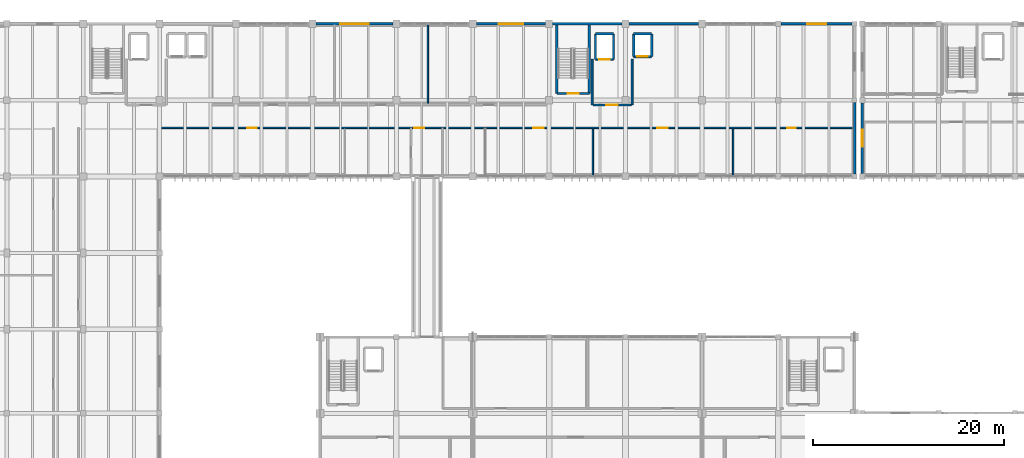
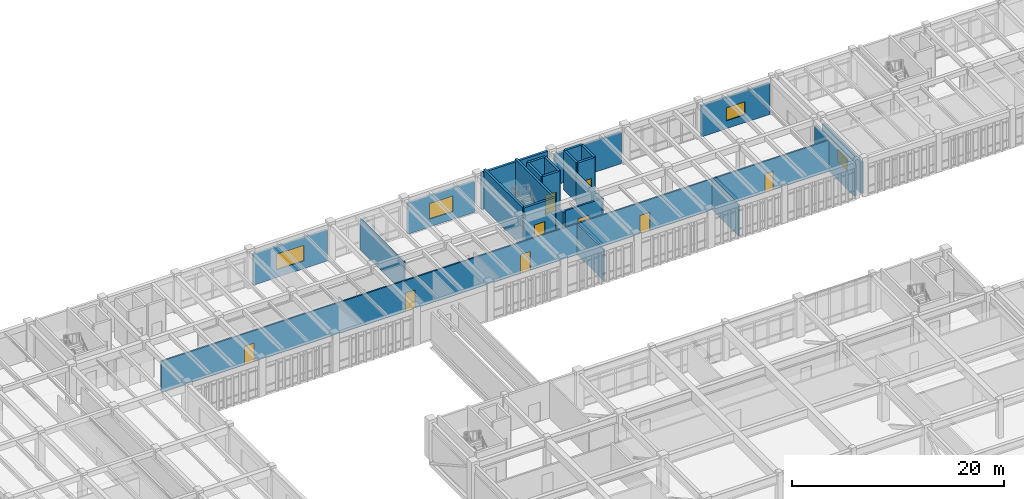
# One storey, part 60 of 79: 25 walls, 9 doors, 4 windows, 13 openings.
"""IFC4 building model written with IfcOpenShell, lengths in metres."""

from ifc_helpers import new_model, si_unit, direction, frame, frame_2d, origin, place, context, subcontext, project, spatial, rectangle, extrude, material, layer, layer_set, type_object, element, fill, save


model = new_model("IFC4")

# Units and contexts
model_context = context("Model", 3, precision=1e-05, world=origin(), true_north=direction((0.0, 1.0)))
body_context = subcontext(model_context, "Body", "Model", "MODEL_VIEW")
ifc_project = project(units=[si_unit("LENGTHUNIT", "METRE"), si_unit("AREAUNIT", "SQUARE_METRE"), si_unit("VOLUMEUNIT", "CUBIC_METRE"), si_unit("PLANEANGLEUNIT", "RADIAN"), si_unit("MASSUNIT", "GRAM", prefix="KILO")], contexts=[model_context])

# Site, building, storey
site_placement = place(None, origin())
site = spatial("IfcSite", under=ifc_project, at=site_placement, CompositionType="ELEMENT")
building_placement = place(site_placement, origin())
building = spatial("IfcBuilding", under=site, at=building_placement, Name="Tlaxcora Railside Police Headquarters", CompositionType="ELEMENT")
storey_placement = place(building_placement, frame((0.0, 0.0, 9.0)))
storey = spatial("IfcBuildingStorey", under=building, at=storey_placement, Name="L02", CompositionType="ELEMENT", Elevation=9.0)

# Wall
ifc_material_1 = material(Name="Gypsum acoustic partition board")
ifc_layer_1 = layer(ifc_material_1, 0.16796875, Name="Gypsum acoustic partition board")
ifc_layer_set_1 = layer_set([ifc_layer_1], Name="Gypsum acoustic partition board")
wall_type_1 = type_object("IfcWallType", Name="Interior Partition Wall IW-31", PredefinedType="PARTITIONING", material=ifc_layer_set_1)
wall_1_placement = place(storey_placement, frame((74.587890625, 76.8798828125, 0.0), z_axis=(0.0, 0.0, 1.0), x_axis=(0.0, 1.0, 0.0)))
element("IfcWall", 1, at=wall_1_placement, inside=storey, type_object=wall_type_1, Name="V5 L02 interior partition 154", PredefinedType="PARTITIONING", context=body_context, shape_type="SweptSolid", body=[
    extrude(rectangle(XDim=4.920166015625, YDim=0.16796875, at=frame_2d((2.4599609375, 0.0))), origin(), (0.0, 0.0, 1.0), 3.554931640625),
])

# Wall, opening, door
ifc_material_2 = material(Name="Pressed clay brick masonry", Category="masonry")
ifc_layer_2 = layer(ifc_material_2, 0.199951171875, Name="Pressed clay brick masonry")
ifc_layer_set_2 = layer_set([ifc_layer_2], Name="Pressed clay brick masonry")
wall_type_2 = type_object("IfcWallType", Name="Interior Partition Wall IW-60", PredefinedType="PARTITIONING", material=ifc_layer_set_2)
wall_2_placement = place(storey_placement, frame((74.60009765625, 84.300048828125, 0.0), z_axis=(0.0, 0.0, 1.0), x_axis=(1.0, 0.0, 0.0)))
wall_2 = element("IfcWall", 2, at=wall_2_placement, inside=storey, type_object=wall_type_2, Name="V5 L02 interior partition 121", PredefinedType="PARTITIONING", context=body_context, shape_type="SweptSolid", body=[
    extrude(rectangle(XDim=4.0, YDim=0.199951171875, at=frame_2d((2.0, 0.0))), origin(), (0.0, 0.0, 1.0), 3.554931640625),
])
opening_1_placement = place(wall_2_placement, frame((1.39990234375, 0.0, 0.0)))
opening_1 = element("IfcOpeningElement", 3, at=opening_1_placement, cuts=wall_2, Name="Opening D-L02-159", PredefinedType="OPENING", context=body_context, shape_type="SweptSolid", body=[
    extrude(rectangle(XDim=1.199951171875, YDim=2.14990234375, at=frame_2d((0.60009765625, 1.074951171875))), frame((0.0, 0.10986328125, 0.0), z_axis=(0.0, -1.0, 0.0), x_axis=(1.0, 0.0, 0.0)), (0.0, 0.0, 1.0), 0.219970703125),
])
ifc_material_3 = material(Name="Steel ASTM A992 Grade 50", Category="steel")
door_type_1 = type_object("IfcDoorType", Name="Swing or Sliding Personnel Door ID-14", OperationType="NOTDEFINED", PredefinedType="DOOR", material=ifc_material_3)
door_1_placement = place(opening_1_placement, origin())
door_1 = element("IfcDoor", 4, at=door_1_placement, inside=storey, type_object=door_type_1, Name="V5 L02 door D-L02-159", OperationType="DOUBLE_DOOR_SINGLE_SWING", OverallHeight=2.14990234375, OverallWidth=1.199951171875, PredefinedType="DOOR", context=body_context, shape_type="SweptSolid", body=[
    extrude(rectangle(XDim=1.199951171875, YDim=2.14990234375, at=frame_2d((0.60009765625, 1.074951171875))), frame((0.0, 0.02490234375, 0.0), z_axis=(0.0, -1.0, 0.0), x_axis=(1.0, 0.0, 0.0)), (0.0, 0.0, 1.0), 0.050048828125),
])
fill(opening_1, door_1)

# Walls
wall_3_placement = place(storey_placement, frame((74.5, 84.300048828125, 0.0), z_axis=(0.0, 0.0, 1.0), x_axis=(0.0, 1.0, 0.0)))
element("IfcWall", 5, at=wall_3_placement, inside=storey, type_object=wall_type_2, Name="V5 L02 interior partition 122", PredefinedType="PARTITIONING", context=body_context, shape_type="SweptSolid", body=[
    extrude(rectangle(XDim=4.800048828125, YDim=0.199951171875, at=frame_2d((2.39990234375, 0.0))), origin(), (0.0, 0.0, 1.0), 3.35498046875),
])
wall_4_placement = place(storey_placement, frame((78.699951171875, 84.300048828125, 0.0), z_axis=(0.0, 0.0, 1.0), x_axis=(0.0, 1.0, 0.0)))
element("IfcWall", 6, at=wall_4_placement, inside=storey, type_object=wall_type_2, Name="V5 L02 interior partition 123", PredefinedType="PARTITIONING", context=body_context, shape_type="SweptSolid", body=[
    extrude(rectangle(XDim=4.800048828125, YDim=0.199951171875, at=frame_2d((2.39990234375, 0.0))), origin(), (0.0, 0.0, 1.0), 3.455078125),
])
ifc_layer_3 = layer(ifc_material_1, 0.159912109375, Name="Gypsum acoustic partition board")
ifc_layer_set_3 = layer_set([ifc_layer_3], Name="Gypsum acoustic partition board")
wall_type_3 = type_object("IfcWallType", Name="Interior Partition Wall IW-73", PredefinedType="PARTITIONING", material=ifc_layer_set_3)
wall_5_placement = place(storey_placement, frame((89.27392578125, 76.8798828125, 0.0), z_axis=(0.0, 0.0, 1.0), x_axis=(0.0, 1.0, 0.0)))
element("IfcWall", 7, at=wall_5_placement, inside=storey, type_object=wall_type_3, Name="V5 L02 interior partition 155", PredefinedType="PARTITIONING", context=body_context, shape_type="SweptSolid", body=[
    extrude(rectangle(XDim=4.920166015625, YDim=0.159912109375, at=frame_2d((2.4599609375, 0.0))), origin(), (0.0, 0.0, 1.0), 3.554931640625),
])

# Wall, openings, doors
wall_6_placement = place(storey_placement, frame((29.300048828125, 81.89990234375, 0.0), z_axis=(0.0, 0.0, 1.0), x_axis=(1.0, 0.0, 0.0)))
wall_6 = element("IfcWall", 8, at=wall_6_placement, inside=storey, type_object=wall_type_3, Name="V5 L02 interior partition 156", PredefinedType="PARTITIONING", context=body_context, shape_type="SweptSolid", body=[
    extrude(rectangle(XDim=72.619873046875, YDim=0.159912109375, at=frame_2d((36.31005859375, 0.0))), origin(), (0.0, 0.0, 1.0), 3.554931640625),
])
opening_2_placement = place(wall_6_placement, frame((9.06005859375, 0.0, 0.0)))
opening_2 = element("IfcOpeningElement", 9, at=opening_2_placement, cuts=wall_6, Name="Opening D-L02-186", PredefinedType="OPENING", context=body_context, shape_type="SweptSolid", body=[
    extrude(rectangle(XDim=1.02001953125, YDim=2.1201171875, at=frame_2d((0.510009765625, 1.06005859375))), frame((0.0, 0.08984375, 0.0), z_axis=(0.0, -1.0, 0.0), x_axis=(1.0, 0.0, 0.0)), (0.0, 0.0, 1.0), 0.179931640625),
])
opening_3_placement = place(wall_6_placement, frame((26.550048828125, 0.0, 0.0)))
opening_3 = element("IfcOpeningElement", 10, at=opening_3_placement, cuts=wall_6, Name="Opening D-L02-187", PredefinedType="OPENING", context=body_context, shape_type="SweptSolid", body=[
    extrude(rectangle(XDim=1.050048828125, YDim=2.10009765625, at=frame_2d((0.52490234375, 1.050048828125))), frame((0.0, 0.08984375, 0.0), z_axis=(0.0, -1.0, 0.0), x_axis=(1.0, 0.0, 0.0)), (0.0, 0.0, 1.0), 0.179931640625),
])
opening_4_placement = place(wall_6_placement, frame((39.0400390625, 0.0, 0.0)))
opening_4 = element("IfcOpeningElement", 11, at=opening_4_placement, cuts=wall_6, Name="Opening D-L02-188", PredefinedType="OPENING", context=body_context, shape_type="SweptSolid", body=[
    extrude(rectangle(XDim=1.080078125, YDim=2.139892578125, at=frame_2d((0.5400390625, 1.06982421875))), frame((0.0, 0.08984375, 0.0), z_axis=(0.0, -1.0, 0.0), x_axis=(1.0, 0.0, 0.0)), (0.0, 0.0, 1.0), 0.179931640625),
])
opening_5_placement = place(wall_6_placement, frame((52.030029296875, 0.0, 0.0)))
opening_5 = element("IfcOpeningElement", 12, at=opening_5_placement, cuts=wall_6, Name="Opening D-L02-189", PredefinedType="OPENING", context=body_context, shape_type="SweptSolid", body=[
    extrude(rectangle(XDim=1.10009765625, YDim=2.10009765625, at=frame_2d((0.550048828125, 1.050048828125))), frame((0.0, 0.08984375, 0.0), z_axis=(0.0, -1.0, 0.0), x_axis=(1.0, 0.0, 0.0)), (0.0, 0.0, 1.0), 0.179931640625),
])
opening_6_placement = place(wall_6_placement, frame((65.6298828125, 0.0, 0.0)))
opening_6 = element("IfcOpeningElement", 13, at=opening_6_placement, cuts=wall_6, Name="Opening D-L02-190", PredefinedType="OPENING", context=body_context, shape_type="SweptSolid", body=[
    extrude(rectangle(XDim=0.89990234375, YDim=2.10009765625, at=frame_2d((0.449951171875, 1.050048828125))), frame((0.0, 0.08984375, 0.0), z_axis=(0.0, -1.0, 0.0), x_axis=(1.0, 0.0, 0.0)), (0.0, 0.0, 1.0), 0.179931640625),
])
door_type_2 = type_object("IfcDoorType", Name="Swing or Sliding Personnel Door ID-20", OperationType="NOTDEFINED", PredefinedType="DOOR", material=ifc_material_3)
door_2_placement = place(opening_4_placement, origin())
door_2 = element("IfcDoor", 14, at=door_2_placement, inside=storey, type_object=door_type_2, Name="V5 L02 door D-L02-188", OperationType="SINGLE_SWING_LEFT", OverallHeight=2.139892578125, OverallWidth=1.080078125, PredefinedType="DOOR", context=body_context, shape_type="SweptSolid", body=[
    extrude(rectangle(XDim=1.080078125, YDim=2.139892578125, at=frame_2d((0.5400390625, 1.06982421875))), frame((0.0, 0.02490234375, 0.0), z_axis=(0.0, -1.0, 0.0), x_axis=(1.0, 0.0, 0.0)), (0.0, 0.0, 1.0), 0.050048828125),
])
fill(opening_4, door_2)
door_type_3 = type_object("IfcDoorType", Name="Swing or Sliding Personnel Door ID-33", OperationType="NOTDEFINED", PredefinedType="DOOR", material=ifc_material_3)
door_3_placement = place(opening_6_placement, origin())
door_3 = element("IfcDoor", 15, at=door_3_placement, inside=storey, type_object=door_type_3, Name="V5 L02 door D-L02-190", OperationType="SINGLE_SWING_LEFT", OverallHeight=2.10009765625, OverallWidth=0.89990234375, PredefinedType="DOOR", context=body_context, shape_type="SweptSolid", body=[
    extrude(rectangle(XDim=0.89990234375, YDim=2.10009765625, at=frame_2d((0.449951171875, 1.050048828125))), frame((0.0, 0.02490234375, 0.0), z_axis=(0.0, -1.0, 0.0), x_axis=(1.0, 0.0, 0.0)), (0.0, 0.0, 1.0), 0.050048828125),
])
fill(opening_6, door_3)
door_type_4 = type_object("IfcDoorType", Name="Swing or Sliding Personnel Door ID-48", OperationType="NOTDEFINED", PredefinedType="DOOR", material=ifc_material_3)
door_4_placement = place(opening_2_placement, origin())
door_4 = element("IfcDoor", 16, at=door_4_placement, inside=storey, type_object=door_type_4, Name="V5 L02 door D-L02-186", OperationType="SINGLE_SWING_LEFT", OverallHeight=2.1201171875, OverallWidth=1.02001953125, PredefinedType="DOOR", context=body_context, shape_type="SweptSolid", body=[
    extrude(rectangle(XDim=1.02001953125, YDim=2.1201171875, at=frame_2d((0.510009765625, 1.06005859375))), frame((0.0, 0.02490234375, 0.0), z_axis=(0.0, -1.0, 0.0), x_axis=(1.0, 0.0, 0.0)), (0.0, 0.0, 1.0), 0.050048828125),
])
fill(opening_2, door_4)
door_type_5 = type_object("IfcDoorType", Name="Swing or Sliding Personnel Door ID-52", OperationType="NOTDEFINED", PredefinedType="DOOR", material=ifc_material_3)
door_5_placement = place(opening_3_placement, origin())
door_5 = element("IfcDoor", 17, at=door_5_placement, inside=storey, type_object=door_type_5, Name="V5 L02 door D-L02-187", OperationType="SINGLE_SWING_RIGHT", OverallHeight=2.10009765625, OverallWidth=1.050048828125, PredefinedType="DOOR", context=body_context, shape_type="SweptSolid", body=[
    extrude(rectangle(XDim=1.050048828125, YDim=2.10009765625, at=frame_2d((0.52490234375, 1.050048828125))), frame((0.0, 0.02490234375, 0.0), z_axis=(0.0, -1.0, 0.0), x_axis=(1.0, 0.0, 0.0)), (0.0, 0.0, 1.0), 0.050048828125),
])
fill(opening_3, door_5)
door_type_6 = type_object("IfcDoorType", Name="Swing or Sliding Personnel Door ID-66", OperationType="NOTDEFINED", PredefinedType="DOOR", material=ifc_material_3)
door_6_placement = place(opening_5_placement, origin())
door_6 = element("IfcDoor", 18, at=door_6_placement, inside=storey, type_object=door_type_6, Name="V5 L02 door D-L02-189", OperationType="SINGLE_SWING_RIGHT", OverallHeight=2.10009765625, OverallWidth=1.10009765625, PredefinedType="DOOR", context=body_context, shape_type="SweptSolid", body=[
    extrude(rectangle(XDim=1.10009765625, YDim=2.10009765625, at=frame_2d((0.550048828125, 1.050048828125))), frame((0.0, 0.02490234375, 0.0), z_axis=(0.0, -1.0, 0.0), x_axis=(1.0, 0.0, 0.0)), (0.0, 0.0, 1.0), 0.050048828125),
])
fill(opening_5, door_6)

# Wall
wall_7_placement = place(storey_placement, frame((57.2890625, 84.5, 0.0), z_axis=(0.0, 0.0, 1.0), x_axis=(0.0, 1.0, 0.0)))
element("IfcWall", 19, at=wall_7_placement, inside=storey, type_object=wall_type_3, Name="V5 L02 interior partition 158", PredefinedType="PARTITIONING", context=body_context, shape_type="SweptSolid", body=[
    extrude(rectangle(XDim=8.219970703125, YDim=0.159912109375, at=frame_2d((4.10986328125, 0.0))), origin(), (0.0, 0.0, 1.0), 3.554931640625),
])

# Wall, opening, door
ifc_material_4 = material(Name="Concrete C40/50", Category="concrete")
ifc_layer_4 = layer(ifc_material_4, 0.25, Name="Concrete C40/50")
ifc_layer_set_4 = layer_set([ifc_layer_4], Name="Concrete C40/50")
wall_type_4 = type_object("IfcWallType", Name="Shear Core Wall IW-13", PredefinedType="SHEAR", material=ifc_layer_set_4)
wall_8_placement = place(storey_placement, frame((70.800048828125, 85.5, 0.0), z_axis=(0.0, 0.0, 1.0), x_axis=(1.0, 0.0, 0.0)))
wall_8 = element("IfcWall", 20, at=wall_8_placement, inside=storey, type_object=wall_type_4, Name="CORE-C2 L02 stair core wall S", PredefinedType="SHEAR", context=body_context, shape_type="SweptSolid", body=[
    extrude(rectangle(XDim=3.419921875, YDim=0.25, at=frame_2d((1.7099609375, 0.0))), origin(), (0.0, 0.0, 1.0), 4.5),
])
opening_7_placement = place(wall_8_placement, frame((1.135009765625, 0.0, 0.0)))
opening_7 = element("IfcOpeningElement", 21, at=opening_7_placement, cuts=wall_8, Name="Opening SD-L02-013", PredefinedType="OPENING", context=body_context, shape_type="SweptSolid", body=[
    extrude(rectangle(XDim=1.14990234375, YDim=2.14990234375, at=frame_2d((0.574951171875, 1.074951171875))), frame((0.0, 0.135009765625, 0.0), z_axis=(0.0, -1.0, 0.0), x_axis=(1.0, 0.0, 0.0)), (0.0, 0.0, 1.0), 0.27001953125),
])
door_type_7 = type_object("IfcDoorType", Name="Swing or Sliding Personnel Door ID-73", OperationType="NOTDEFINED", PredefinedType="DOOR", material=ifc_material_3)
door_7_placement = place(opening_7_placement, origin())
door_7 = element("IfcDoor", 22, at=door_7_placement, inside=storey, type_object=door_type_7, Name="Stair ST2 L02 enclosure fire door", OperationType="SINGLE_SWING_LEFT", OverallHeight=2.14990234375, OverallWidth=1.14990234375, PredefinedType="DOOR", context=body_context, shape_type="SweptSolid", body=[
    extrude(rectangle(XDim=1.14990234375, YDim=2.14990234375, at=frame_2d((0.574951171875, 1.074951171875))), frame((0.0, 0.02490234375, 0.0), z_axis=(0.0, -1.0, 0.0), x_axis=(1.0, 0.0, 0.0)), (0.0, 0.0, 1.0), 0.050048828125),
])
fill(opening_7, door_7)

# Walls
for number, where, z_axis, x_axis, name in (
    (23, (74.219970703125, 85.5, 0.0), (0.0, 0.0, 1.0), (0.0, 1.0, 0.0), "CORE-C2 L02 stair core wall E"),
    (24, (70.800048828125, 92.800048828125, 0.0), (0.0, 0.0, 1.0), (0.0, -1.0, 0.0), "CORE-C2 L02 stair core wall W"),
):
    element("IfcWall", number, at=place(storey_placement, frame(where, z_axis=z_axis, x_axis=x_axis)), inside=storey, type_object=wall_type_4, Name=name, PredefinedType="SHEAR", context=body_context, shape_type="SweptSolid", body=[
        extrude(rectangle(XDim=7.300048828125, YDim=0.25, at=frame_2d((3.64990234375, 0.0))), origin(), (0.0, 0.0, 1.0), 4.5),
    ])

# Wall, opening, door
wall_9_placement = place(storey_placement, frame((74.860107421875, 89.06005859375, 0.0), z_axis=(0.0, 0.0, 1.0), x_axis=(1.0, 0.0, 0.0)))
wall_9 = element("IfcWall", 25, at=wall_9_placement, inside=storey, type_object=wall_type_4, Name="Lift FFL-02 L02 shaft wall S", PredefinedType="SHEAR", context=body_context, shape_type="SweptSolid", body=[
    extrude(rectangle(XDim=1.8798828125, YDim=0.25, at=frame_2d((0.93994140625, 0.0))), origin(), (0.0, 0.0, 1.0), 4.5),
])
opening_8_placement = place(wall_9_placement, frame((0.389892578125, 0.0, 0.0)))
opening_8 = element("IfcOpeningElement", 26, at=opening_8_placement, cuts=wall_9, Name="Opening LD-FFL-02-L02", PredefinedType="OPENING", context=body_context, shape_type="SweptSolid", body=[
    extrude(rectangle(XDim=1.10009765625, YDim=2.199951171875, at=frame_2d((0.550048828125, 1.10009765625))), frame((0.0, 0.135009765625, 0.0), z_axis=(0.0, -1.0, 0.0), x_axis=(1.0, 0.0, 0.0)), (0.0, 0.0, 1.0), 0.27001953125),
])
door_type_8 = type_object("IfcDoorType", Name="Swing or Sliding Personnel Door ID-15", OperationType="NOTDEFINED", PredefinedType="DOOR", material=ifc_material_3)
door_8_placement = place(opening_8_placement, origin())
door_8 = element("IfcDoor", 27, at=door_8_placement, inside=storey, type_object=door_type_8, Name="Lift FFL-02 L02 sliding landing door", OperationType="DOUBLE_DOOR_SLIDING", OverallHeight=2.199951171875, OverallWidth=1.10009765625, PredefinedType="DOOR", context=body_context, shape_type="SweptSolid", body=[
    extrude(rectangle(XDim=1.10009765625, YDim=2.199951171875, at=frame_2d((0.550048828125, 1.10009765625))), frame((0.0, 0.02490234375, 0.0), z_axis=(0.0, -1.0, 0.0), x_axis=(1.0, 0.0, 0.0)), (0.0, 0.0, 1.0), 0.050048828125),
])
fill(opening_8, door_8)

# Walls
wall_10_placement = place(storey_placement, frame((76.739990234375, 89.06005859375, 0.0), z_axis=(0.0, 0.0, 1.0), x_axis=(0.0, 1.0, 0.0)))
element("IfcWall", 28, at=wall_10_placement, inside=storey, type_object=wall_type_4, Name="Lift FFL-02 L02 shaft wall E", PredefinedType="SHEAR", context=body_context, shape_type="SweptSolid", body=[
    extrude(rectangle(XDim=2.679931640625, YDim=0.25, at=frame_2d((1.33984375, 0.0))), origin(), (0.0, 0.0, 1.0), 4.5),
])
wall_11_placement = place(storey_placement, frame((76.739990234375, 91.739990234375, 0.0), z_axis=(0.0, 0.0, 1.0), x_axis=(-1.0, 0.0, 0.0)))
element("IfcWall", 29, at=wall_11_placement, inside=storey, type_object=wall_type_4, Name="Lift FFL-02 L02 shaft wall N", PredefinedType="SHEAR", context=body_context, shape_type="SweptSolid", body=[
    extrude(rectangle(XDim=1.8798828125, YDim=0.25, at=frame_2d((0.93994140625, 0.0))), origin(), (0.0, 0.0, 1.0), 4.5),
])
wall_12_placement = place(storey_placement, frame((74.860107421875, 91.739990234375, 0.0), z_axis=(0.0, 0.0, 1.0), x_axis=(0.0, -1.0, 0.0)))
element("IfcWall", 30, at=wall_12_placement, inside=storey, type_object=wall_type_4, Name="Lift FFL-02 L02 shaft wall W", PredefinedType="SHEAR", context=body_context, shape_type="SweptSolid", body=[
    extrude(rectangle(XDim=2.679931640625, YDim=0.25, at=frame_2d((1.33984375, 0.0))), origin(), (0.0, 0.0, 1.0), 4.5),
])

# Wall, opening, door
wall_13_placement = place(storey_placement, frame((78.860107421875, 89.360107421875, 0.0), z_axis=(0.0, 0.0, 1.0), x_axis=(1.0, 0.0, 0.0)))
wall_13 = element("IfcWall", 31, at=wall_13_placement, inside=storey, type_object=wall_type_4, Name="Lift PL-03 L02 shaft wall S", PredefinedType="SHEAR", context=body_context, shape_type="SweptSolid", body=[
    extrude(rectangle(XDim=1.8798828125, YDim=0.25, at=frame_2d((0.93994140625, 0.0))), origin(), (0.0, 0.0, 1.0), 4.5),
])
opening_9_placement = place(wall_13_placement, frame((0.389892578125, 0.0, 0.0)))
opening_9 = element("IfcOpeningElement", 32, at=opening_9_placement, cuts=wall_13, Name="Opening LD-PL-03-L02", PredefinedType="OPENING", context=body_context, shape_type="SweptSolid", body=[
    extrude(rectangle(XDim=1.10009765625, YDim=2.199951171875, at=frame_2d((0.550048828125, 1.10009765625))), frame((0.0, 0.135009765625, 0.0), z_axis=(0.0, -1.0, 0.0), x_axis=(1.0, 0.0, 0.0)), (0.0, 0.0, 1.0), 0.27001953125),
])
door_9_placement = place(opening_9_placement, origin())
door_9 = element("IfcDoor", 33, at=door_9_placement, inside=storey, type_object=door_type_8, Name="Lift PL-03 L02 sliding landing door", OperationType="DOUBLE_DOOR_SLIDING", OverallHeight=2.199951171875, OverallWidth=1.10009765625, PredefinedType="DOOR", context=body_context, shape_type="SweptSolid", body=[
    extrude(rectangle(XDim=1.10009765625, YDim=2.199951171875, at=frame_2d((0.550048828125, 1.10009765625))), frame((0.0, 0.02490234375, 0.0), z_axis=(0.0, -1.0, 0.0), x_axis=(1.0, 0.0, 0.0)), (0.0, 0.0, 1.0), 0.050048828125),
])
fill(opening_9, door_9)

# Walls
wall_14_placement = place(storey_placement, frame((80.739990234375, 89.360107421875, 0.0), z_axis=(0.0, 0.0, 1.0), x_axis=(0.0, 1.0, 0.0)))
element("IfcWall", 34, at=wall_14_placement, inside=storey, type_object=wall_type_4, Name="Lift PL-03 L02 shaft wall E", PredefinedType="SHEAR", context=body_context, shape_type="SweptSolid", body=[
    extrude(rectangle(XDim=2.3798828125, YDim=0.25, at=frame_2d((1.18994140625, 0.0))), origin(), (0.0, 0.0, 1.0), 4.5),
])
wall_15_placement = place(storey_placement, frame((80.739990234375, 91.739990234375, 0.0), z_axis=(0.0, 0.0, 1.0), x_axis=(-1.0, 0.0, 0.0)))
element("IfcWall", 35, at=wall_15_placement, inside=storey, type_object=wall_type_4, Name="Lift PL-03 L02 shaft wall N", PredefinedType="SHEAR", context=body_context, shape_type="SweptSolid", body=[
    extrude(rectangle(XDim=1.8798828125, YDim=0.25, at=frame_2d((0.93994140625, 0.0))), origin(), (0.0, 0.0, 1.0), 4.5),
])
wall_16_placement = place(storey_placement, frame((78.860107421875, 91.739990234375, 0.0), z_axis=(0.0, 0.0, 1.0), x_axis=(0.0, -1.0, 0.0)))
element("IfcWall", 36, at=wall_16_placement, inside=storey, type_object=wall_type_4, Name="Lift PL-03 L02 shaft wall W", PredefinedType="SHEAR", context=body_context, shape_type="SweptSolid", body=[
    extrude(rectangle(XDim=2.3798828125, YDim=0.25, at=frame_2d((1.18994140625, 0.0))), origin(), (0.0, 0.0, 1.0), 4.5),
])
ifc_material_5 = material(Name="Precast concrete C40/50", Category="concrete")
ifc_layer_5 = layer(ifc_material_5, 0.2451171875, Name="Precast concrete C40/50")
ifc_layer_set_5 = layer_set([ifc_layer_5], Name="Precast concrete C40/50")
wall_type_5 = type_object("IfcWallType", Name="Structural Bearing Wall EW-94", PredefinedType="SOLIDWALL", material=ifc_layer_set_5)
wall_17_placement = place(storey_placement, frame((102.0, 77.050048828125, 0.0), z_axis=(0.0, 0.0, 1.0), x_axis=(0.0, 1.0, 0.0)))
element("IfcWall", 37, at=wall_17_placement, inside=storey, type_object=wall_type_5, Name="V5 L02 exterior wall 3.0", PredefinedType="SOLIDWALL", context=body_context, shape_type="SweptSolid", body=[
    extrude(rectangle(XDim=7.5, YDim=0.2451171875, at=frame_2d((3.75, 0.0))), origin(), (0.0, 0.0, 1.0), 3.570068359375),
])

# Wall, opening, window
wall_18_placement = place(storey_placement, frame((101.75, 92.800048828125, 0.0), z_axis=(0.0, 0.0, 1.0), x_axis=(-1.0, 0.0, 0.0)))
wall_18 = element("IfcWall", 38, at=wall_18_placement, inside=storey, type_object=wall_type_5, Name="V5 L02 exterior wall 4.0", PredefinedType="SOLIDWALL", context=body_context, shape_type="SweptSolid", body=[
    extrude(rectangle(XDim=7.449951171875, YDim=0.2451171875, at=frame_2d((3.72509765625, 0.0))), origin(), (0.0, 0.0, 1.0), 3.570068359375),
])
opening_10_placement = place(wall_18_placement, frame((2.72509765625, 0.0, 0.89990234375)))
opening_10 = element("IfcOpeningElement", 39, at=opening_10_placement, cuts=wall_18, Name="Opening WN-42", PredefinedType="OPENING", context=body_context, shape_type="SweptSolid", body=[
    extrude(rectangle(XDim=2.0, YDim=1.5, at=frame_2d((1.0, 0.75))), frame((0.0, 0.132568359375, 0.0), z_axis=(0.0, -1.0, 0.0), x_axis=(1.0, 0.0, 0.0)), (0.0, 0.0, 1.0), 0.26513671875),
])
ifc_material_6 = material(Name="Thermally broken low-E insulated glazing", Category="glass")
window_type_1 = type_object("IfcWindowType", Name="Exterior Framed or Circular Window WN-42", PartitioningType="SINGLE_PANEL", PredefinedType="WINDOW", material=ifc_material_6)
window_1_placement = place(opening_10_placement, origin())
window_1 = element("IfcWindow", 40, at=window_1_placement, inside=storey, type_object=window_type_1, Name="V5 L02 window 128", OverallHeight=1.5, OverallWidth=2.0, PartitioningType="SINGLE_PANEL", PredefinedType="WINDOW", context=body_context, shape_type="SweptSolid", body=[
    extrude(rectangle(XDim=2.0, YDim=1.5, at=frame_2d((1.0, 0.75))), frame((0.0, 0.030029296875, 0.0), z_axis=(0.0, -1.0, 0.0), x_axis=(1.0, 0.0, 0.0)), (0.0, 0.0, 1.0), 0.06005859375),
])
fill(opening_10, window_1)

# Walls
wall_19_placement = place(storey_placement, frame((85.625, 92.800048828125, 0.0), z_axis=(0.0, 0.0, 1.0), x_axis=(-1.0, 0.0, 0.0)))
element("IfcWall", 41, at=wall_19_placement, inside=storey, type_object=wall_type_5, Name="V5 L02 exterior wall 4.2", PredefinedType="SOLIDWALL", context=body_context, shape_type="SweptSolid", body=[
    extrude(rectangle(XDim=7.25, YDim=0.2451171875, at=frame_2d((3.625, 0.0))), origin(), (0.0, 0.0, 1.0), 3.570068359375),
])
wall_20_placement = place(storey_placement, frame((77.625, 92.800048828125, 0.0), z_axis=(0.0, 0.0, 1.0), x_axis=(-1.0, 0.0, 0.0)))
element("IfcWall", 42, at=wall_20_placement, inside=storey, type_object=wall_type_5, Name="V5 L02 exterior wall 4.3", PredefinedType="SOLIDWALL", context=body_context, shape_type="SweptSolid", body=[
    extrude(rectangle(XDim=7.25, YDim=0.2451171875, at=frame_2d((3.625, 0.0))), origin(), (0.0, 0.0, 1.0), 4.219970703125),
])

# Wall, opening, window
wall_21_placement = place(storey_placement, frame((69.625, 92.800048828125, 0.0), z_axis=(0.0, 0.0, 1.0), x_axis=(-1.0, 0.0, 0.0)))
wall_21 = element("IfcWall", 43, at=wall_21_placement, inside=storey, type_object=wall_type_5, Name="V5 L02 exterior wall 4.4", PredefinedType="SOLIDWALL", context=body_context, shape_type="SweptSolid", body=[
    extrude(rectangle(XDim=7.25, YDim=0.2451171875, at=frame_2d((3.625, 0.0))), origin(), (0.0, 0.0, 1.0), 3.570068359375),
])
opening_11_placement = place(wall_21_placement, frame((2.324951171875, 0.0, 0.89990234375)))
opening_11 = element("IfcOpeningElement", 44, at=opening_11_placement, cuts=wall_21, Name="Opening WN-71", PredefinedType="OPENING", context=body_context, shape_type="SweptSolid", body=[
    extrude(rectangle(XDim=2.60009765625, YDim=1.800048828125, at=frame_2d((1.300048828125, 0.89990234375))), frame((0.0, 0.132568359375, 0.0), z_axis=(0.0, -1.0, 0.0), x_axis=(1.0, 0.0, 0.0)), (0.0, 0.0, 1.0), 0.26513671875),
])
window_type_2 = type_object("IfcWindowType", Name="Exterior Framed or Circular Window WN-71", PartitioningType="SINGLE_PANEL", PredefinedType="WINDOW", material=ifc_material_6)
window_2_placement = place(opening_11_placement, origin())
window_2 = element("IfcWindow", 45, at=window_2_placement, inside=storey, type_object=window_type_2, Name="V5 L02 window 129", OverallHeight=1.800048828125, OverallWidth=2.60009765625, PartitioningType="SINGLE_PANEL", PredefinedType="WINDOW", context=body_context, shape_type="SweptSolid", body=[
    extrude(rectangle(XDim=2.60009765625, YDim=1.800048828125, at=frame_2d((1.300048828125, 0.89990234375))), frame((0.0, 0.030029296875, 0.0), z_axis=(0.0, -1.0, 0.0), x_axis=(1.0, 0.0, 0.0)), (0.0, 0.0, 1.0), 0.06005859375),
])
fill(opening_11, window_2)

wall_22_placement = place(storey_placement, frame((53.625, 92.800048828125, 0.0), z_axis=(0.0, 0.0, 1.0), x_axis=(-1.0, 0.0, 0.0)))
wall_22 = element("IfcWall", 46, at=wall_22_placement, inside=storey, type_object=wall_type_5, Name="V5 L02 exterior wall 4.6", PredefinedType="SOLIDWALL", context=body_context, shape_type="SweptSolid", body=[
    extrude(rectangle(XDim=8.050048828125, YDim=0.2451171875, at=frame_2d((4.02490234375, 0.0))), origin(), (0.0, 0.0, 1.0), 3.570068359375),
])
opening_12_placement = place(wall_22_placement, frame((2.52490234375, 0.0, 0.89990234375)))
opening_12 = element("IfcOpeningElement", 47, at=opening_12_placement, cuts=wall_22, Name="Opening WN-93", PredefinedType="OPENING", context=body_context, shape_type="SweptSolid", body=[
    extrude(rectangle(XDim=3.0, YDim=1.800048828125, at=frame_2d((1.5, 0.89990234375))), frame((0.0, 0.132568359375, 0.0), z_axis=(0.0, -1.0, 0.0), x_axis=(1.0, 0.0, 0.0)), (0.0, 0.0, 1.0), 0.26513671875),
])
window_type_3 = type_object("IfcWindowType", Name="Exterior Framed or Circular Window WN-93", PartitioningType="SINGLE_PANEL", PredefinedType="WINDOW", material=ifc_material_6)
window_3_placement = place(opening_12_placement, origin())
window_3 = element("IfcWindow", 48, at=window_3_placement, inside=storey, type_object=window_type_3, Name="V5 L02 window 130", OverallHeight=1.800048828125, OverallWidth=3.0, PartitioningType="SINGLE_PANEL", PredefinedType="WINDOW", context=body_context, shape_type="SweptSolid", body=[
    extrude(rectangle(XDim=3.0, YDim=1.800048828125, at=frame_2d((1.5, 0.89990234375))), frame((0.0, 0.030029296875, 0.0), z_axis=(0.0, -1.0, 0.0), x_axis=(1.0, 0.0, 0.0)), (0.0, 0.0, 1.0), 0.06005859375),
])
fill(opening_12, window_3)

wall_23_placement = place(storey_placement, frame((102.800048828125, 84.5, 0.0), z_axis=(0.0, 0.0, 1.0), x_axis=(0.0, -1.0, 0.0)))
wall_23 = element("IfcWall", 49, at=wall_23_placement, inside=storey, type_object=wall_type_5, Name="V6 L02 exterior wall 3.1", PredefinedType="SOLIDWALL", context=body_context, shape_type="SweptSolid", body=[
    extrude(rectangle(XDim=7.39990234375, YDim=0.2451171875, at=frame_2d((3.699951171875, 0.0))), origin(), (0.0, 0.0, 1.0), 3.570068359375),
])
opening_13_placement = place(wall_23_placement, frame((2.800048828125, 0.0, 0.89990234375)))
opening_13 = element("IfcOpeningElement", 50, at=opening_13_placement, cuts=wall_23, Name="Opening WN-70", PredefinedType="OPENING", context=body_context, shape_type="SweptSolid", body=[
    extrude(rectangle(XDim=1.800048828125, YDim=1.39990234375, at=frame_2d((0.89990234375, 0.699951171875))), frame((0.0, 0.132568359375, 0.0), z_axis=(0.0, -1.0, 0.0), x_axis=(1.0, 0.0, 0.0)), (0.0, 0.0, 1.0), 0.26513671875),
])
window_type_4 = type_object("IfcWindowType", Name="Exterior Framed or Circular Window WN-70", PartitioningType="SINGLE_PANEL", PredefinedType="WINDOW", material=ifc_material_6)
window_4_placement = place(opening_13_placement, origin())
window_4 = element("IfcWindow", 51, at=window_4_placement, inside=storey, type_object=window_type_4, Name="V6 L02 window 179", OverallHeight=1.39990234375, OverallWidth=1.800048828125, PartitioningType="SINGLE_PANEL", PredefinedType="WINDOW", context=body_context, shape_type="SweptSolid", body=[
    extrude(rectangle(XDim=1.800048828125, YDim=1.39990234375, at=frame_2d((0.89990234375, 0.699951171875))), frame((0.0, 0.030029296875, 0.0), z_axis=(0.0, -1.0, 0.0), x_axis=(1.0, 0.0, 0.0)), (0.0, 0.0, 1.0), 0.06005859375),
])
fill(opening_13, window_4)

save(model, "model.ifc")
